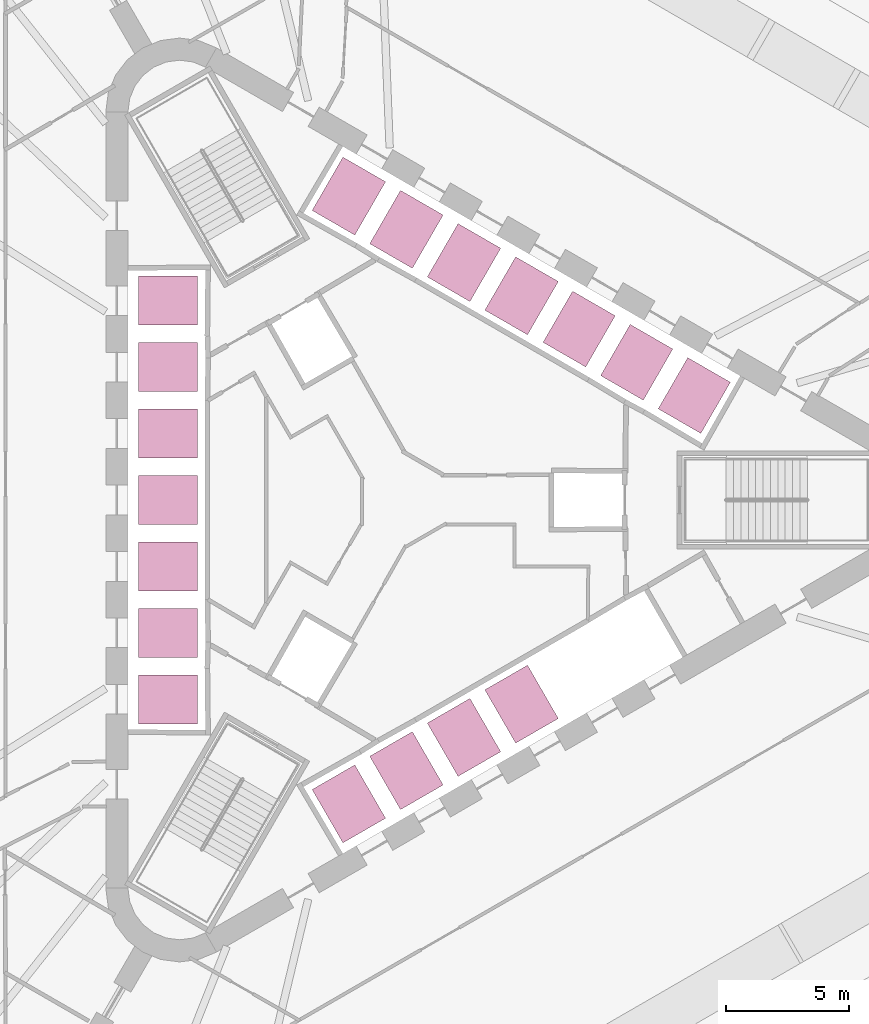
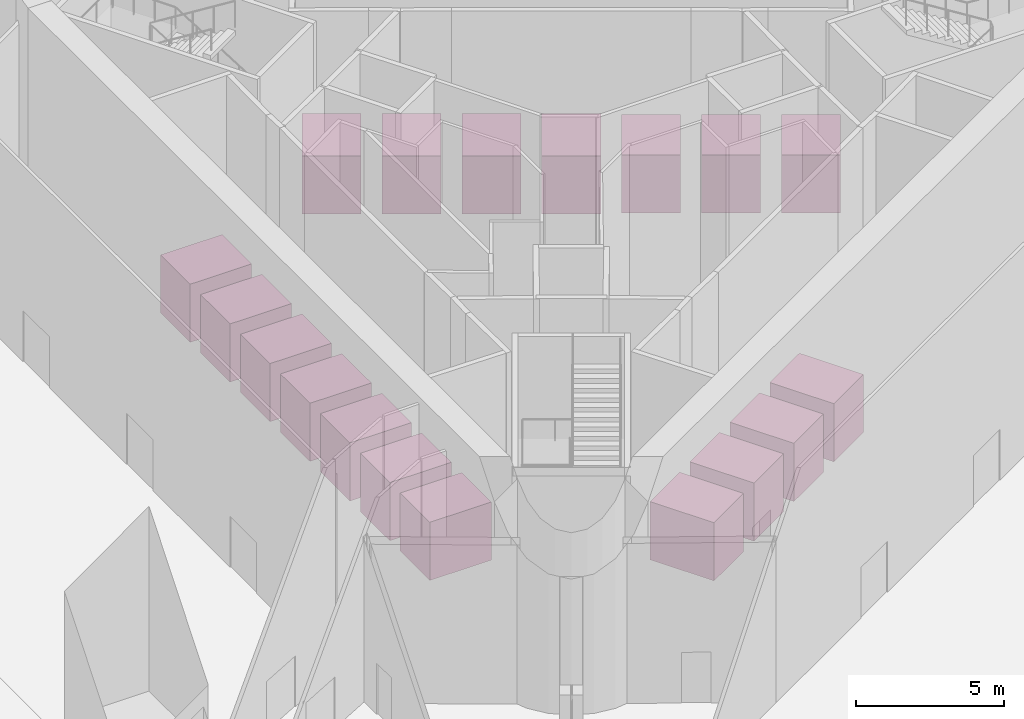
# One storey, part 22 of 22: 18 transport elements.
"""IFC4 building model written with IfcOpenShell, lengths in metres."""

from ifc_helpers import new_model, si_unit, direction, frame, origin, origin_2d, place, context, subcontext, project, spatial, rectangle, extrude, material, type_object, element, save


model = new_model("IFC4")

# Units and contexts
model_context = context("Model", 3, precision=1e-05, world=origin(), true_north=direction((0.0, 1.0)))
body_context = subcontext(model_context, "Body", "Model", "MODEL_VIEW")
ifc_project = project(units=[si_unit("LENGTHUNIT", "METRE"), si_unit("AREAUNIT", "SQUARE_METRE"), si_unit("VOLUMEUNIT", "CUBIC_METRE"), si_unit("PLANEANGLEUNIT", "RADIAN"), si_unit("MASSUNIT", "GRAM", prefix="KILO")], contexts=[model_context])

# Site, building, storey
site_placement = place(None, origin())
site = spatial("IfcSite", under=ifc_project, at=site_placement, CompositionType="ELEMENT")
building_placement = place(site_placement, origin())
building = spatial("IfcBuilding", under=site, at=building_placement, Name="Tanit Gate Tower", CompositionType="ELEMENT")
storey_placement = place(building_placement, origin())
storey = spatial("IfcBuildingStorey", under=building, at=storey_placement, Name="L00", CompositionType="ELEMENT", Elevation=0.0)

# Transport elements
ifc_material_1 = material(Name="Stainless steel lift car", Category="steel")
transport_element_type_1 = type_object("IfcTransportElementType", Name="INT-LIFT-2000X2400-1600", PredefinedType="ELEVATOR", material=ifc_material_1)
for number, where, z_axis, x_axis, name in (
    (1, (-9.574951171875, 8.10009765625, 0.0), (0.0, 0.0, 1.0), (0.0, -1.0, 0.0), "Lift LL1"),
    (2, (7.125732421875, 6.942138671875, 0.0), (0.0, 0.0, 1.0), (-0.866025403784, 0.5, 0.0), "Lift LL10"),
    (3, (-9.574951171875, 5.39990234375, 0.0), (0.0, 0.0, 1.0), (0.0, -1.0, 0.0), "Lift LL2"),
    (4, (-9.574951171875, 2.699951171875, 0.0), (0.0, 0.0, 1.0), (0.0, -1.0, 0.0), "Lift LL3"),
    (5, (-9.574951171875, 0.0, 0.0), (0.0, 0.0, 1.0), (0.0, -1.0, 0.0), "Lift LL4"),
    (6, (-9.574951171875, -2.699951171875, 0.0), (0.0, 0.0, 1.0), (0.0, -1.0, 0.0), "Lift LL5"),
    (7, (-9.574951171875, -5.39990234375, 0.0), (0.0, 0.0, 1.0), (0.0, -1.0, 0.0), "Lift LL6"),
    (8, (-9.574951171875, -8.10009765625, 0.0), (0.0, 0.0, 1.0), (0.0, -1.0, 0.0), "Lift LL7"),
    (9, (11.80224609375, 4.2421875, 0.0), (0.0, 0.0, 1.0), (-0.866025403784, 0.5, 0.0), "Lift LL8"),
    (10, (9.464111328125, 5.59228515625, 0.0), (0.0, 0.0, 1.0), (-0.866025403784, 0.5, 0.0), "Lift LL9"),
):
    element("IfcTransportElement", number, at=place(storey_placement, frame(where, z_axis=z_axis, x_axis=x_axis)), inside=storey, type_object=transport_element_type_1, Name=name, PredefinedType="ELEVATOR", context=body_context, shape_type="SweptSolid", body=[
        extrude(rectangle(XDim=2.0, YDim=2.39990234375, at=origin_2d()), origin(), (0.0, 0.0, 1.0), 2.39990234375),
    ])
ifc_material_2 = material(Name="Stainless steel lift car", Category="steel")
transport_element_type_2 = type_object("IfcTransportElementType", Name="INT-LIFT-2000X2500-2500", PredefinedType="ELEVATOR", material=ifc_material_2)
for number, where, z_axis, x_axis, name in (
    (11, (4.78759765625, 8.292236328125, 0.0), (0.0, 0.0, 1.0), (-0.866025403784, 0.5, 0.0), "Lift SL1"),
    (12, (2.44921875, 9.64208984375, 0.0), (0.0, 0.0, 1.0), (-0.866025403784, 0.5, 0.0), "Lift SL2"),
    (13, (0.111083984375, 10.9921875, 0.0), (0.0, 0.0, 1.0), (-0.866025403784, 0.5, 0.0), "Lift SL3"),
    (14, (-2.227294921875, 12.34228515625, 0.0), (0.0, 0.0, 1.0), (-0.866025403784, 0.5, 0.0), "Lift SL4"),
    (15, (-2.227294921875, -12.34228515625, 0.0), (0.0, 0.0, 1.0), (0.866025403784, 0.5, 0.0), "Lift SX1"),
    (16, (0.111083984375, -10.9921875, 0.0), (0.0, 0.0, 1.0), (0.866025403784, 0.5, 0.0), "Lift SX2"),
    (17, (2.44921875, -9.64208984375, 0.0), (0.0, 0.0, 1.0), (0.866025403784, 0.5, 0.0), "Lift SX3"),
    (18, (4.78759765625, -8.292236328125, 0.0), (0.0, 0.0, 1.0), (0.866025403784, 0.5, 0.0), "Lift SX4"),
):
    element("IfcTransportElement", number, at=place(storey_placement, frame(where, z_axis=z_axis, x_axis=x_axis)), inside=storey, type_object=transport_element_type_2, Name=name, PredefinedType="ELEVATOR", context=body_context, shape_type="SweptSolid", body=[
        extrude(rectangle(XDim=2.0, YDim=2.5, at=origin_2d()), origin(), (0.0, 0.0, 1.0), 2.39990234375),
    ])

save(model, "model.ifc")
